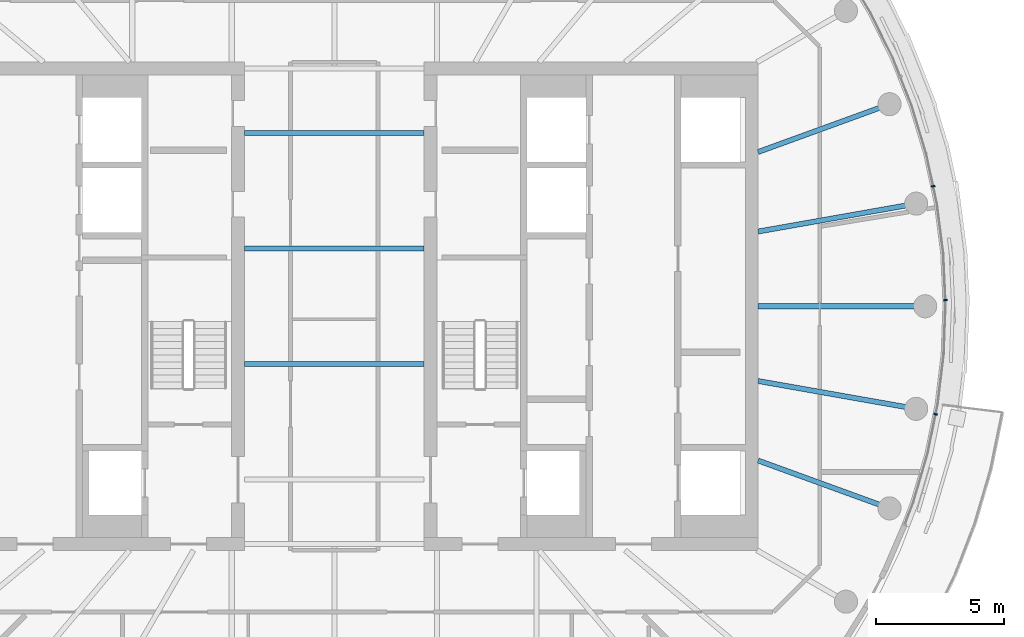
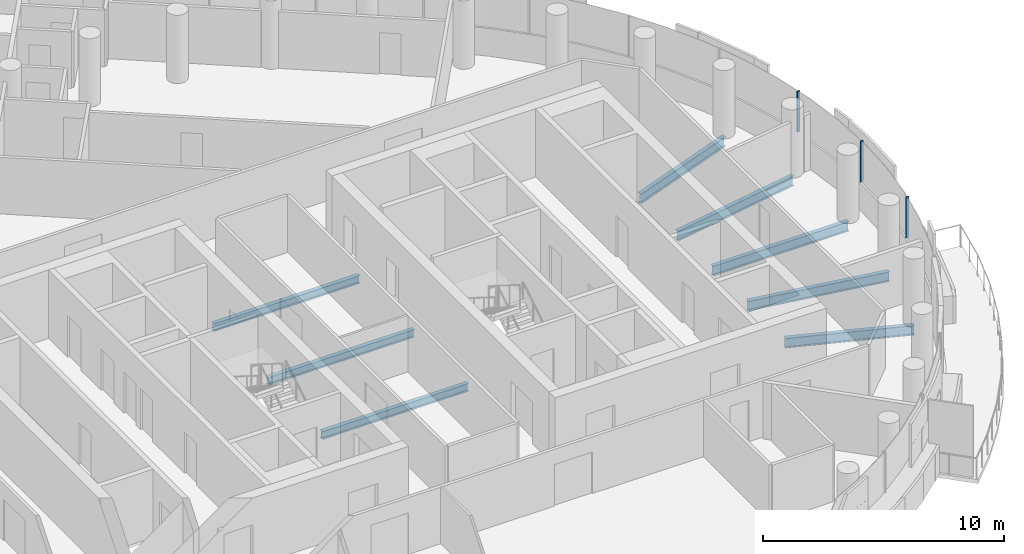
# One storey, part 9 of 27: 8 beams, 3 members, 1 element without a shape of its own.
"""IFC4 building model written with IfcOpenShell, lengths in metres."""

from ifc_helpers import new_model, si_unit, direction, frame, origin, origin_2d, place, context, subcontext, project, spatial, rectangle, i_section, extrude, material, layer, layer_set, material_profile, profile_set, type_object, element, aggregate, save


model = new_model("IFC4")

# Units and contexts
model_context = context("Model", 3, precision=1e-05, world=origin(), true_north=direction((0.0, 1.0)))
body_context = subcontext(model_context, "Body", "Model", "MODEL_VIEW")
ifc_project = project(units=[si_unit("LENGTHUNIT", "METRE"), si_unit("AREAUNIT", "SQUARE_METRE"), si_unit("VOLUMEUNIT", "CUBIC_METRE"), si_unit("PLANEANGLEUNIT", "RADIAN"), si_unit("MASSUNIT", "GRAM", prefix="KILO")], contexts=[model_context])

# Site, building, storey
site_placement = place(None, origin())
site = spatial("IfcSite", under=ifc_project, at=site_placement, CompositionType="ELEMENT")
building_placement = place(site_placement, origin())
building = spatial("IfcBuilding", under=site, at=building_placement, Name="Tamarind Cross Interchange Tower", CompositionType="ELEMENT")
storey_placement = place(building_placement, frame((0.0, 0.0, 230.699951171875)))
storey = spatial("IfcBuildingStorey", under=building, at=storey_placement, Name="L58", CompositionType="ELEMENT", Elevation=230.699951171875)

# Beams
ifc_material_1 = material(Name="Steel Q355B", Category="steel")
ifc_material_profile_1 = material_profile(ifc_material_1, i_section(OverallWidth=0.199951171875, OverallDepth=0.39990234375, WebThickness=0.008056640625, FlangeThickness=0.012939453125, FilletRadius=0.01611328125, at=origin_2d()), Name="HN 400x200x8x13")
ifc_profile_set_1 = profile_set([ifc_material_profile_1], Name="Steel Q355B")
beam_type_1 = type_object("IfcBeamType", Name="Composite beam HN 400x200x8x13 Q355B", PredefinedType="BEAM", material=ifc_profile_set_1)
for number, where, z_axis, x_axis, name in (
    (1, (-3.5, -2.25, -0.33984375), (1.0, 0.0, 0.0), (0.0, 1.0, 0.0), "Beam G-2.25"),
    (2, (-3.5, 2.25, -0.33984375), (1.0, 0.0, 0.0), (0.0, 1.0, 0.0), "Beam G2.25"),
    (3, (-3.5, 6.75, -0.33984375), (1.0, 0.0, 0.0), (0.0, 1.0, 0.0), "Beam G6.75"),
):
    element("IfcBeam", number, at=place(storey_placement, frame(where, z_axis=z_axis, x_axis=x_axis)), inside=storey, type_object=beam_type_1, Name=name, PredefinedType="BEAM", context=body_context, shape_type="SweptSolid", body=[
        extrude(i_section(OverallWidth=0.199951171875, OverallDepth=0.39990234375, WebThickness=0.008056640625, FlangeThickness=0.012939453125, FilletRadius=0.01611328125, at=origin_2d()), origin(), (0.0, 0.0, 1.0), 7.0),
    ])
ifc_material_profile_2 = material_profile(ifc_material_1, i_section(OverallWidth=0.198974609375, OverallDepth=0.49609375, WebThickness=0.009033203125, FlangeThickness=0.013916015625, FilletRadius=0.012939453125, at=origin_2d()), Name="HN 496x199x9x14")
ifc_profile_set_2 = profile_set([ifc_material_profile_2], Name="Steel Q355B")
beam_type_2 = type_object("IfcBeamType", Name="Composite beam HN 496x199x9x14 Q355B", PredefinedType="BEAM", material=ifc_profile_set_2)
beam_1_placement = place(storey_placement, frame((23.0, 0.0, -0.387939453125), z_axis=(-1.0, 0.0, 0.0), x_axis=(0.0, -1.0, 0.0)))
element("IfcBeam", 4, at=beam_1_placement, inside=storey, type_object=beam_type_2, Name="Beam HH00", PredefinedType="BEAM", context=body_context, shape_type="SweptSolid", body=[
    extrude(i_section(OverallWidth=0.198974609375, OverallDepth=0.49609375, WebThickness=0.009033203125, FlangeThickness=0.013916015625, FilletRadius=0.012939453125, at=origin_2d()), origin(), (0.0, 0.0, 1.0), 6.5),
])
beam_2_placement = place(storey_placement, frame((22.650634765625, 3.993896484375, -0.387939453125), z_axis=(-0.984809127561, -0.173640382036, 0.0), x_axis=(0.173640382036, -0.984809127561, 0.0)))
element("IfcBeam", 5, at=beam_2_placement, inside=storey, type_object=beam_type_2, Name="Beam HH01", PredefinedType="BEAM", context=body_context, shape_type="SweptSolid", body=[
    extrude(i_section(OverallWidth=0.198974609375, OverallDepth=0.49609375, WebThickness=0.009033203125, FlangeThickness=0.013916015625, FilletRadius=0.012939453125, at=origin_2d()), origin(), (0.0, 0.0, 1.0), 6.24560546875),
])
for number, where, z_axis, x_axis, name in (
    (6, (21.613037109375, 7.866455078125, -0.387939453125), (-0.939701685589, -0.341995236956, 0.0), (0.341995236956, -0.939701685589, 0.0), "Beam HH02"),
    (7, (21.613037109375, -7.866455078125, -0.387939453125), (-0.939701685589, 0.341995236956, 0.0), (-0.341995236956, -0.939701685589, 0.0), "Beam HH34"),
):
    element("IfcBeam", number, at=place(storey_placement, frame(where, z_axis=z_axis, x_axis=x_axis)), inside=storey, type_object=beam_type_2, Name=name, PredefinedType="BEAM", context=body_context, shape_type="SweptSolid", body=[
        extrude(i_section(OverallWidth=0.198974609375, OverallDepth=0.49609375, WebThickness=0.009033203125, FlangeThickness=0.013916015625, FilletRadius=0.012939453125, at=origin_2d()), origin(), (0.0, 0.0, 1.0), 5.441162109375),
    ])
beam_3_placement = place(storey_placement, frame((22.650634765625, -3.993896484375, -0.387939453125), z_axis=(-0.984809127561, 0.173640382036, 0.0), x_axis=(-0.173640382036, -0.984809127561, 0.0)))
element("IfcBeam", 8, at=beam_3_placement, inside=storey, type_object=beam_type_2, Name="Beam HH35", PredefinedType="BEAM", context=body_context, shape_type="SweptSolid", body=[
    extrude(i_section(OverallWidth=0.198974609375, OverallDepth=0.49609375, WebThickness=0.009033203125, FlangeThickness=0.013916015625, FilletRadius=0.012939453125, at=origin_2d()), origin(), (0.0, 0.0, 1.0), 6.24560546875),
])

# Curtain wall, members
ifc_material_2 = material(Name="Aluminium 6063-T6", Category="aluminium")
ifc_layer = layer(ifc_material_2, 0.139892578125)
ifc_layer_set = layer_set([ifc_layer], Name="Aluminium 6063-T6")
curtain_wall_type = type_object("IfcCurtainWallType", Name="Hotel curtain wall, 4.5 m bays", PredefinedType="NOTDEFINED", material=ifc_layer_set)
curtain_wall_placement = place(storey_placement, origin())
curtain_wall = element("IfcCurtainWall", 9, at=curtain_wall_placement, inside=storey, type_object=curtain_wall_type, Name="CWS-L58-02", PredefinedType="NOTDEFINED")
ifc_material_profile_3 = material_profile(ifc_material_2, rectangle(XDim=0.06005859375, YDim=0.139892578125, at=origin_2d()), Name="Mullion CW2")
ifc_profile_set_3 = profile_set([ifc_material_profile_3], Name="Aluminium 6063-T6")
member_type = type_object("IfcMemberType", Name="Mullion CW2", PredefinedType="MULLION", material=ifc_profile_set_3)
member_1_placement = place(storey_placement, frame((23.40771484375, -4.2060546875, 1.400146484375), z_axis=(0.0, 0.0, 1.0), x_axis=(0.201001463943, 0.9795909409, 0.0)))
member_1 = element("IfcMember", 10, at=member_1_placement, type_object=member_type, Name="CWM-L58-02-13", PredefinedType="MULLION", context=body_context, shape_type="SweptSolid", body=[
    extrude(rectangle(XDim=0.06005859375, YDim=0.139892578125, at=origin_2d()), origin(), (0.0, 0.0, 1.0), 2.059814453125),
])
member_2_placement = place(storey_placement, frame((23.789306640625, 0.237060546875, 1.400146484375), z_axis=(0.0, 0.0, 1.0), x_axis=(-0.045624486728, 0.998958660912, 0.0)))
member_2 = element("IfcMember", 11, at=member_2_placement, type_object=member_type, Name="CWM-L58-02-14", PredefinedType="MULLION", context=body_context, shape_type="SweptSolid", body=[
    extrude(rectangle(XDim=0.06005859375, YDim=0.139892578125, at=origin_2d()), origin(), (0.0, 0.0, 1.0), 2.059814453125),
])
member_3_placement = place(storey_placement, frame((23.314208984375, 4.671142578125, 1.400146484375), z_axis=(0.0, 0.0, 1.0), x_axis=(-0.209425419705, 0.977824623121, 0.0)))
member_3 = element("IfcMember", 12, at=member_3_placement, type_object=member_type, Name="CWM-L58-02-15", PredefinedType="MULLION", context=body_context, shape_type="SweptSolid", body=[
    extrude(rectangle(XDim=0.06005859375, YDim=0.139892578125, at=origin_2d()), origin(), (0.0, 0.0, 1.0), 2.059814453125),
])
aggregate(curtain_wall, [member_1, member_2, member_3])

save(model, "model.ifc")
